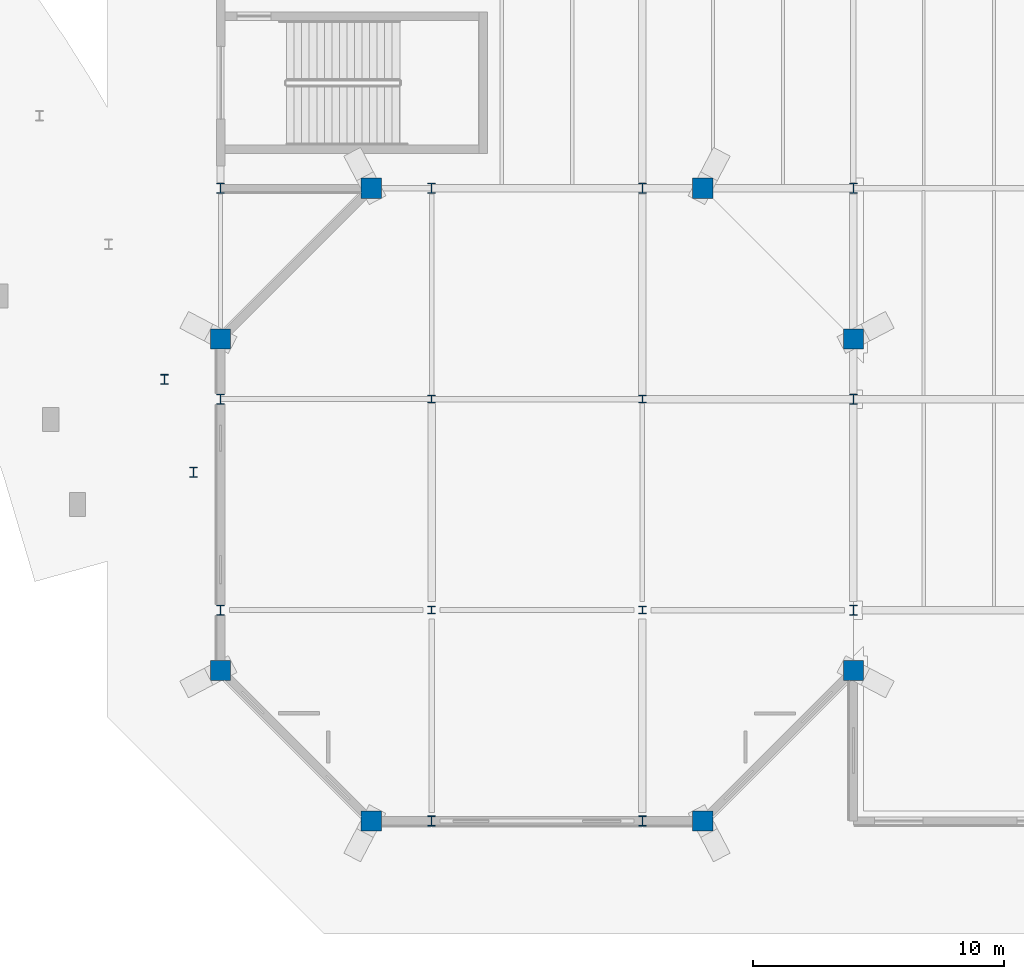
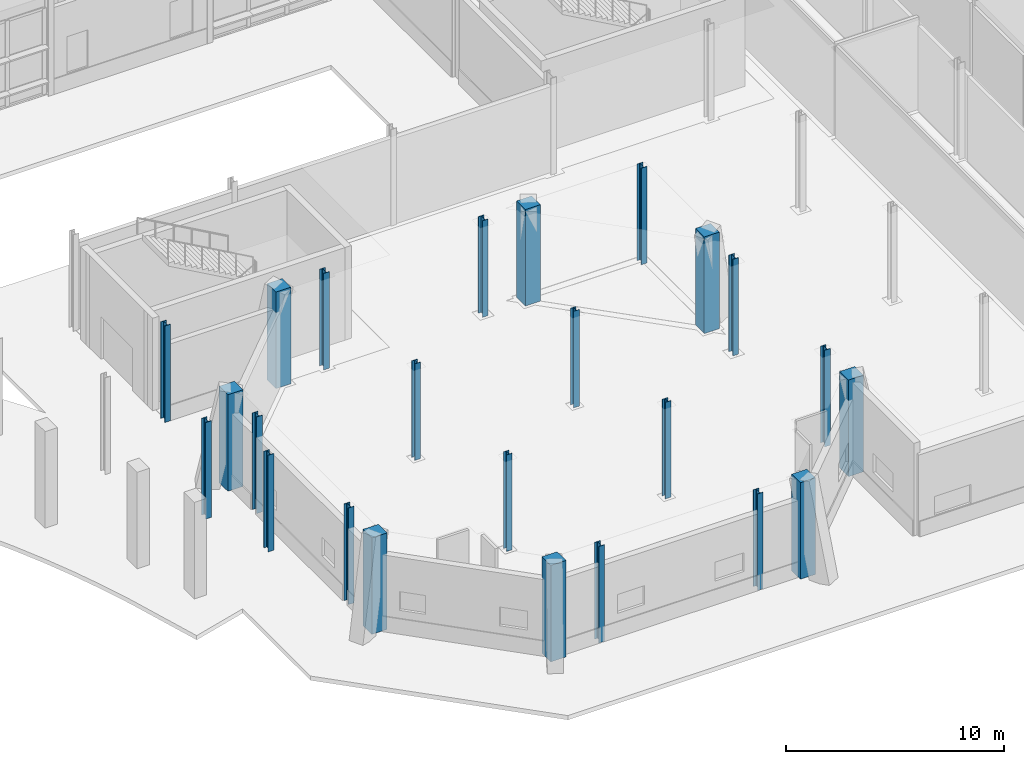
# One storey, part 4 of 124: 24 columns.
"""IFC4 building model written with IfcOpenShell, lengths in metres."""

from ifc_helpers import new_model, si_unit, direction, frame, origin, origin_2d, place, context, subcontext, project, spatial, rectangle, i_section, extrude, material, material_profile, profile_set, type_object, element, save


model = new_model("IFC4")

# Units and contexts
model_context = context("Model", 3, precision=1e-05, world=origin(), true_north=direction((0.0, 1.0)))
body_context = subcontext(model_context, "Body", "Model", "MODEL_VIEW")
ifc_project = project(units=[si_unit("LENGTHUNIT", "METRE"), si_unit("AREAUNIT", "SQUARE_METRE"), si_unit("VOLUMEUNIT", "CUBIC_METRE"), si_unit("PLANEANGLEUNIT", "RADIAN"), si_unit("MASSUNIT", "GRAM", prefix="KILO")], contexts=[model_context])

# Site, building, storey
site_placement = place(None, origin())
site = spatial("IfcSite", under=ifc_project, at=site_placement, CompositionType="ELEMENT")
building_placement = place(site_placement, origin())
building = spatial("IfcBuilding", under=site, at=building_placement, Name="Mersafa Astral City Hall", CompositionType="ELEMENT")
storey_placement = place(building_placement, origin())
storey = spatial("IfcBuildingStorey", under=building, at=storey_placement, Name="L00", CompositionType="ELEMENT", Elevation=0.0)

# Columns
ifc_material_1 = material(Name="Steel S355", Category="steel")
ifc_material_profile_1 = material_profile(ifc_material_1, i_section(OverallWidth=0.300048828125, OverallDepth=0.300048828125, WebThickness=0.010986328125, FlangeThickness=0.01904296875, FilletRadius=0.027099609375, at=origin_2d()), Name="HEB 300")
ifc_profile_set_1 = profile_set([ifc_material_profile_1], Name="Steel S355")
column_type_1 = type_object("IfcColumnType", Name="STR-COL-HEB300", PredefinedType="COLUMN", material=ifc_profile_set_1)
for number, where, z_axis, x_axis, name in (
    (1, (75.60009765625, 8.39990234375, 0.0), (0.0, 0.0, 1.0), (1.0, 0.0, 0.0), "L00 Structural column G-09-01"),
    (2, (75.60009765625, 16.800048828125, 0.0), (0.0, 0.0, 1.0), (1.0, 0.0, 0.0), "L00 Structural column G-09-02"),
    (3, (84.0, 8.39990234375, 0.0), (0.0, 0.0, 1.0), (1.0, 0.0, 0.0), "L00 Structural column G-10-01"),
    (4, (84.0, 16.800048828125, 0.0), (0.0, 0.0, 1.0), (1.0, 0.0, 0.0), "L00 Structural column G-10-02"),
):
    element("IfcColumn", number, at=place(storey_placement, frame(where, z_axis=z_axis, x_axis=x_axis)), inside=storey, type_object=column_type_1, Name=name, PredefinedType="COLUMN", context=body_context, shape_type="SweptSolid", body=[
        extrude(i_section(OverallWidth=0.300048828125, OverallDepth=0.300048828125, WebThickness=0.010986328125, FlangeThickness=0.01904296875, FilletRadius=0.027099609375, at=origin_2d()), origin(), (0.0, 0.0, 1.0), 5.39990234375),
    ])
ifc_material_profile_2 = material_profile(ifc_material_1, i_section(OverallWidth=0.300048828125, OverallDepth=0.39990234375, WebThickness=0.013427734375, FlangeThickness=0.02392578125, FilletRadius=0.027099609375, at=origin_2d()), Name="HEB 400")
ifc_profile_set_2 = profile_set([ifc_material_profile_2], Name="Steel S355")
column_type_2 = type_object("IfcColumnType", Name="STR-COL-HEB400", PredefinedType="COLUMN", material=ifc_profile_set_2)
for number, where, z_axis, x_axis, name in (
    (5, (67.199951171875, 8.39990234375, 0.0), (0.0, 0.0, 1.0), (1.0, 0.0, 0.0), "L00 Structural column G-08-01"),
    (6, (67.199951171875, 16.800048828125, 0.0), (0.0, 0.0, 1.0), (1.0, 0.0, 0.0), "L00 Structural column G-08-02"),
    (7, (67.199951171875, 25.199951171875, 0.0), (0.0, 0.0, 1.0), (1.0, 0.0, 0.0), "L00 Structural column G-08-03"),
    (8, (75.60009765625, 0.0, 0.0), (0.0, 0.0, 1.0), (1.0, 0.0, 0.0), "L00 Structural column G-09-00"),
    (9, (75.60009765625, 25.199951171875, 0.0), (0.0, 0.0, 1.0), (1.0, 0.0, 0.0), "L00 Structural column G-09-03"),
    (10, (84.0, 0.0, 0.0), (0.0, 0.0, 1.0), (1.0, 0.0, 0.0), "L00 Structural column G-10-00"),
    (11, (84.0, 25.199951171875, 0.0), (0.0, 0.0, 1.0), (1.0, 0.0, 0.0), "L00 Structural column G-10-03"),
    (12, (92.39990234375, 8.39990234375, 0.0), (0.0, 0.0, 1.0), (1.0, 0.0, 0.0), "L00 Structural column G-11-01"),
    (13, (92.39990234375, 16.800048828125, 0.0), (0.0, 0.0, 1.0), (1.0, 0.0, 0.0), "L00 Structural column G-11-02"),
    (14, (92.39990234375, 25.199951171875, 0.0), (0.0, 0.0, 1.0), (1.0, 0.0, 0.0), "L00 Structural column G-11-03"),
    (15, (64.958984375, 17.585693359375, 0.0), (0.0, 0.0, 1.0), (1.0, 0.0, 0.0), "L00 Shaded Front Arcade inner column ARCI-12"),
    (16, (66.125, 13.884765625, 0.0), (0.0, 0.0, 1.0), (1.0, 0.0, 0.0), "L00 Shaded Front Arcade inner column ARCI-13"),
):
    element("IfcColumn", number, at=place(storey_placement, frame(where, z_axis=z_axis, x_axis=x_axis)), inside=storey, type_object=column_type_2, Name=name, PredefinedType="COLUMN", context=body_context, shape_type="SweptSolid", body=[
        extrude(i_section(OverallWidth=0.300048828125, OverallDepth=0.39990234375, WebThickness=0.013427734375, FlangeThickness=0.02392578125, FilletRadius=0.027099609375, at=origin_2d()), origin(), (0.0, 0.0, 1.0), 5.39990234375),
    ])
ifc_material_2 = material(Name="Concrete C40/50", Category="concrete")
ifc_material_profile_3 = material_profile(ifc_material_2, rectangle(XDim=0.800048828125, YDim=0.800048828125, at=origin_2d()), Name="RC 800x800")
ifc_profile_set_3 = profile_set([ifc_material_profile_3], Name="Concrete C40/50")
column_type_3 = type_object("IfcColumnType", Name="STR-COL-RC800", PredefinedType="COLUMN", material=ifc_profile_set_3)
for number, where, z_axis, x_axis, name in (
    (17, (73.199951171875, 0.0, 0.0), (0.0, 0.0, 1.0), (1.0, 0.0, 0.0), "L00 Chamber perimeter column OCT-1"),
    (18, (86.39990234375, 0.0, 0.0), (0.0, 0.0, 1.0), (1.0, 0.0, 0.0), "L00 Chamber perimeter column OCT-2"),
    (19, (92.39990234375, 6.0, 0.0), (0.0, 0.0, 1.0), (1.0, 0.0, 0.0), "L00 Chamber perimeter column OCT-3"),
    (20, (92.39990234375, 19.199951171875, 0.0), (0.0, 0.0, 1.0), (1.0, 0.0, 0.0), "L00 Chamber perimeter column OCT-4"),
    (21, (86.39990234375, 25.199951171875, 0.0), (0.0, 0.0, 1.0), (1.0, 0.0, 0.0), "L00 Chamber perimeter column OCT-5"),
    (22, (73.199951171875, 25.199951171875, 0.0), (0.0, 0.0, 1.0), (1.0, 0.0, 0.0), "L00 Chamber perimeter column OCT-6"),
    (23, (67.199951171875, 19.199951171875, 0.0), (0.0, 0.0, 1.0), (1.0, 0.0, 0.0), "L00 Chamber perimeter column OCT-7"),
    (24, (67.199951171875, 6.0, 0.0), (0.0, 0.0, 1.0), (1.0, 0.0, 0.0), "L00 Chamber perimeter column OCT-8"),
):
    element("IfcColumn", number, at=place(storey_placement, frame(where, z_axis=z_axis, x_axis=x_axis)), inside=storey, type_object=column_type_3, Name=name, PredefinedType="COLUMN", context=body_context, shape_type="SweptSolid", body=[
        extrude(rectangle(XDim=0.800048828125, YDim=0.800048828125, at=origin_2d()), origin(), (0.0, 0.0, 1.0), 5.39990234375),
    ])

save(model, "model.ifc")
